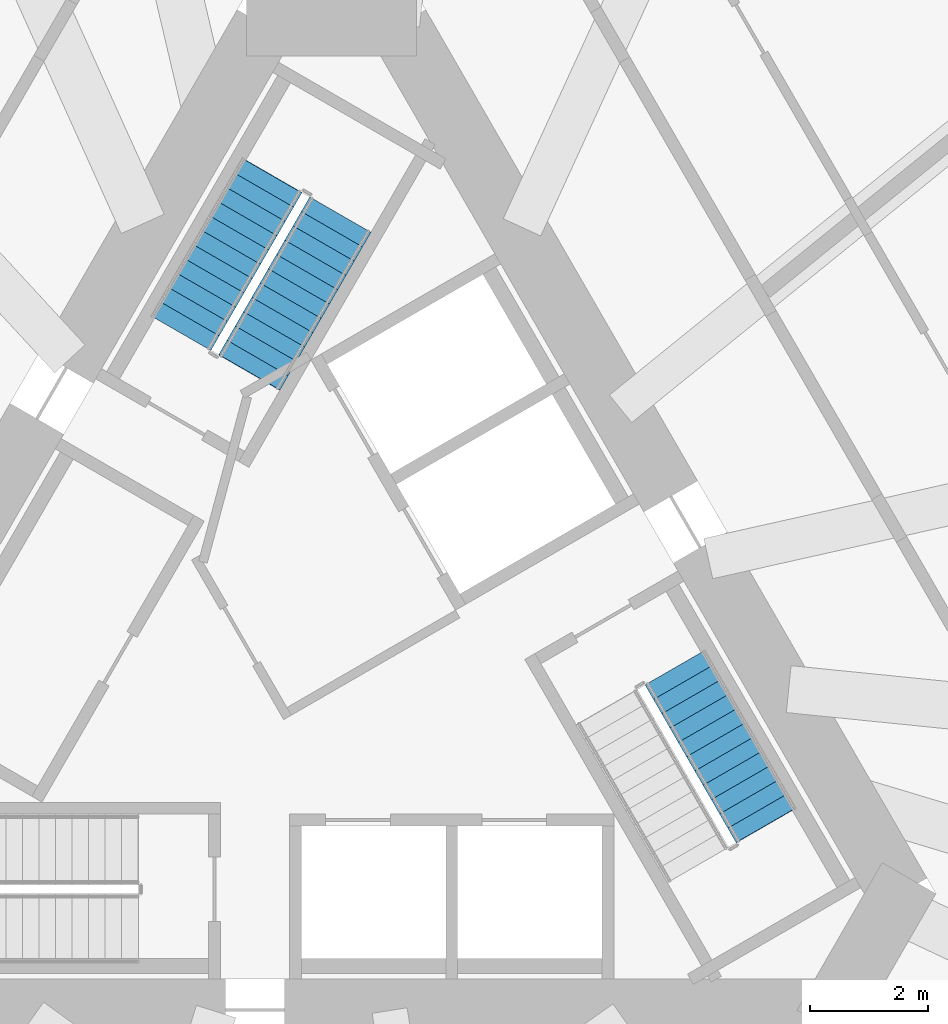
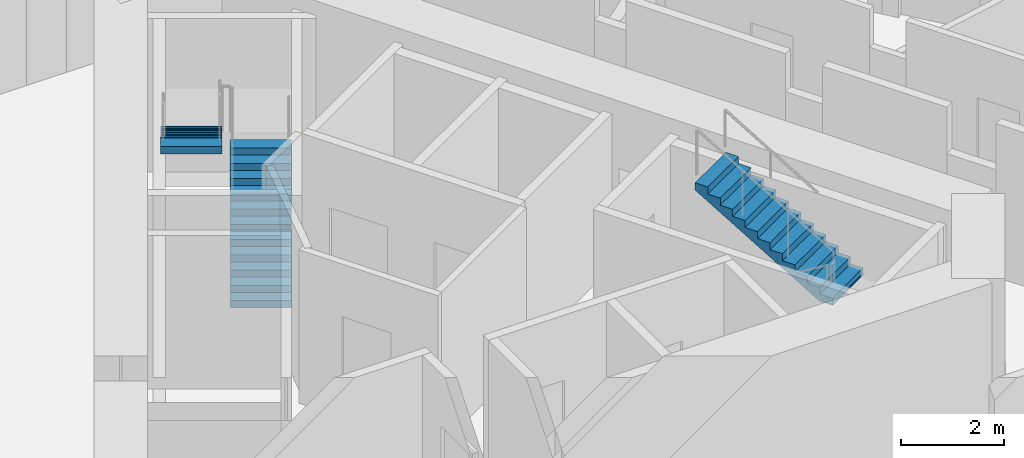
# One storey, part 10 of 14: 3 stair flights, 2 elements without a shape of their own.
"""IFC4 building model written with IfcOpenShell, lengths in metres."""

from ifc_helpers import new_model, si_unit, direction, frame, origin, place, context, subcontext, project, spatial, polyline, outline, extrude, material, layer, layer_set, type_object, element, aggregate, save


model = new_model("IFC4")

# Units and contexts
model_context = context("Model", 3, precision=1e-05, world=origin(), true_north=direction((0.0, 1.0)))
body_context = subcontext(model_context, "Body", "Model", "MODEL_VIEW")
ifc_project = project(units=[si_unit("LENGTHUNIT", "METRE"), si_unit("AREAUNIT", "SQUARE_METRE"), si_unit("VOLUMEUNIT", "CUBIC_METRE"), si_unit("PLANEANGLEUNIT", "RADIAN"), si_unit("MASSUNIT", "GRAM", prefix="KILO")], contexts=[model_context])

# Site, building, storey
site_placement = place(None, origin())
site = spatial("IfcSite", under=ifc_project, at=site_placement, CompositionType="ELEMENT")
building_placement = place(site_placement, origin())
building = spatial("IfcBuilding", under=site, at=building_placement, Name="Tramontana Tower", CompositionType="ELEMENT")
storey_placement = place(building_placement, frame((0.0, 0.0, 59.199951171875)))
storey = spatial("IfcBuildingStorey", under=building, at=storey_placement, Name="L12", CompositionType="ELEMENT", Elevation=59.199951171875)

# Stair, stair flights
ifc_material_1 = material(Name="Concrete 40 MPa", Category="concrete")
stair_type = type_object("IfcStairType", Name="EXIT STAIR 24 RISERS", PredefinedType="HALF_TURN_STAIR", material=ifc_material_1)
stair_1_placement = place(storey_placement, origin())
stair_1 = element("IfcStair", 1, at=stair_1_placement, inside=storey, type_object=stair_type, Name="L12 Exit stair ST1", PredefinedType="HALF_TURN_STAIR")
ifc_material_2 = material(Name="Concrete 40 MPa", Category="concrete")
ifc_layer = layer(ifc_material_2, 0.14990234375)
ifc_layer_set = layer_set([ifc_layer], Name="EXIT STAIR FLIGHT")
stair_flight_type = type_object("IfcStairFlightType", Name="EXIT STAIR FLIGHT", PredefinedType="STRAIGHT", material=ifc_layer_set)
stair_flight_1_placement = place(storey_placement, frame((-1.39111328125, 4.590576171875, 0.0), z_axis=(0.0, 0.0, 1.0), x_axis=(0.5, 0.866025403784, 0.0)))
stair_flight_1 = element("IfcStairFlight", 2, at=stair_flight_1_placement, type_object=stair_flight_type, Name="ST1 flight 1", NumberOfRisers=12, NumberOfTreads=11, PredefinedType="STRAIGHT", RiserHeight=0.166666667, TreadLength=0.28, context=body_context, shape_type="SweptSolid", body=[
    extrude(outline(polyline([(-0.006103515625, 0.0), (-0.006103515625, 0.0400390625), (0.0, 0.0400390625), (0.0, 0.166748046875), (0.280029296875, 0.166748046875), (0.280029296875, 0.333251953125), (0.56005859375, 0.333251953125), (0.56005859375, 0.5), (0.840087890625, 0.5), (0.840087890625, 0.666748046875), (1.1201171875, 0.666748046875), (1.1201171875, 0.833251953125), (1.39990234375, 0.833251953125), (1.39990234375, 1.0), (1.679931640625, 1.0), (1.679931640625, 1.166748046875), (1.9599609375, 1.166748046875), (1.9599609375, 1.333251953125), (2.239990234375, 1.333251953125), (2.239990234375, 1.5), (2.52001953125, 1.5), (2.52001953125, 1.666748046875), (2.800048828125, 1.666748046875), (2.800048828125, 1.833251953125), (3.080078125, 1.833251953125), (3.0859375, 1.833251953125), (3.0859375, 1.658935546875), (0.299072265625, 0.0), (-0.006103515625, 0.0)])), frame((0.0, 0.60009765625, 0.0), z_axis=(0.0, -1.0, 0.0), x_axis=(1.0, 0.0, 0.0)), (0.0, 0.0, 1.0), 1.199951171875),
])
stair_flight_2_placement = place(storey_placement, frame((-1.020263671875, 7.932861328125, 2.0), z_axis=(0.0, 0.0, 1.0), x_axis=(-0.5, -0.866025403784, 0.0)))
stair_flight_2 = element("IfcStairFlight", 3, at=stair_flight_2_placement, type_object=stair_flight_type, Name="ST1 flight 2", NumberOfRisers=12, NumberOfTreads=11, PredefinedType="STRAIGHT", RiserHeight=0.166666667, TreadLength=0.28, context=body_context, shape_type="SweptSolid", body=[
    extrude(outline(polyline([(-0.006103515625, 0.0), (-0.006103515625, 0.0400390625), (0.0, 0.0400390625), (0.0, 0.166748046875), (0.280029296875, 0.166748046875), (0.280029296875, 0.333251953125), (0.56005859375, 0.333251953125), (0.56005859375, 0.5), (0.840087890625, 0.5), (0.840087890625, 0.666748046875), (1.1201171875, 0.666748046875), (1.1201171875, 0.833251953125), (1.39990234375, 0.833251953125), (1.39990234375, 1.0), (1.679931640625, 1.0), (1.679931640625, 1.166748046875), (1.9599609375, 1.166748046875), (1.9599609375, 1.333251953125), (2.239990234375, 1.333251953125), (2.239990234375, 1.5), (2.52001953125, 1.5), (2.52001953125, 1.666748046875), (2.800048828125, 1.666748046875), (2.800048828125, 1.833251953125), (3.080078125, 1.833251953125), (3.0859375, 1.833251953125), (3.0859375, 1.658935546875), (0.299072265625, 0.0), (-0.006103515625, 0.0)])), frame((0.0, 0.60009765625, 0.0), z_axis=(0.0, -1.0, 0.0), x_axis=(1.0, 0.0, 0.0)), (0.0, 0.0, 1.0), 1.199951171875),
])
aggregate(stair_1, [stair_flight_1, stair_flight_2])

# Stair, stair flight
stair_2_placement = place(storey_placement, origin())
stair_2 = element("IfcStair", 4, at=stair_2_placement, inside=storey, type_object=stair_type, Name="L12 Exit stair ST3", PredefinedType="HALF_TURN_STAIR")
stair_flight_3_placement = place(storey_placement, frame((7.380126953125, -3.0830078125, 2.0), z_axis=(0.0, 0.0, 1.0), x_axis=(-0.5, 0.866025403784, 0.0)))
stair_flight_3 = element("IfcStairFlight", 5, at=stair_flight_3_placement, type_object=stair_flight_type, Name="ST3 flight 2", NumberOfRisers=12, NumberOfTreads=11, PredefinedType="STRAIGHT", RiserHeight=0.166666667, TreadLength=0.28, context=body_context, shape_type="SweptSolid", body=[
    extrude(outline(polyline([(-0.006103515625, 0.0), (-0.006103515625, 0.0400390625), (0.0, 0.0400390625), (0.0, 0.166748046875), (0.280029296875, 0.166748046875), (0.280029296875, 0.333251953125), (0.56005859375, 0.333251953125), (0.56005859375, 0.5), (0.840087890625, 0.5), (0.840087890625, 0.666748046875), (1.1201171875, 0.666748046875), (1.1201171875, 0.833251953125), (1.39990234375, 0.833251953125), (1.39990234375, 1.0), (1.679931640625, 1.0), (1.679931640625, 1.166748046875), (1.9599609375, 1.166748046875), (1.9599609375, 1.333251953125), (2.239990234375, 1.333251953125), (2.239990234375, 1.5), (2.52001953125, 1.5), (2.52001953125, 1.666748046875), (2.800048828125, 1.666748046875), (2.800048828125, 1.833251953125), (3.080078125, 1.833251953125), (3.0859375, 1.833251953125), (3.0859375, 1.658935546875), (0.299072265625, 0.0), (-0.006103515625, 0.0)])), frame((0.0, 0.60009765625, 0.0), z_axis=(0.0, -1.0, 0.0), x_axis=(1.0, 0.0, 0.0)), (0.0, 0.0, 1.0), 1.199951171875),
])
aggregate(stair_2, [stair_flight_3])

save(model, "model.ifc")
